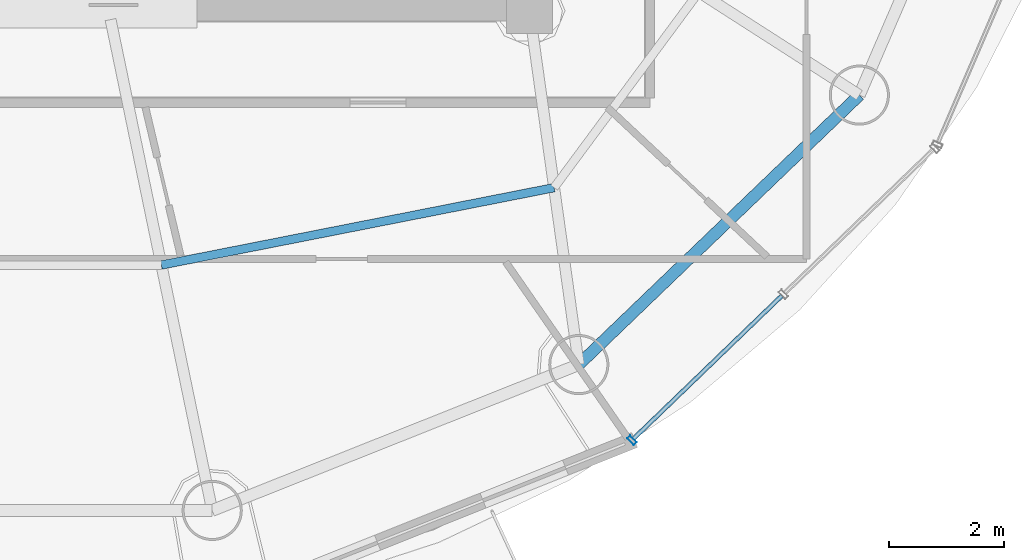
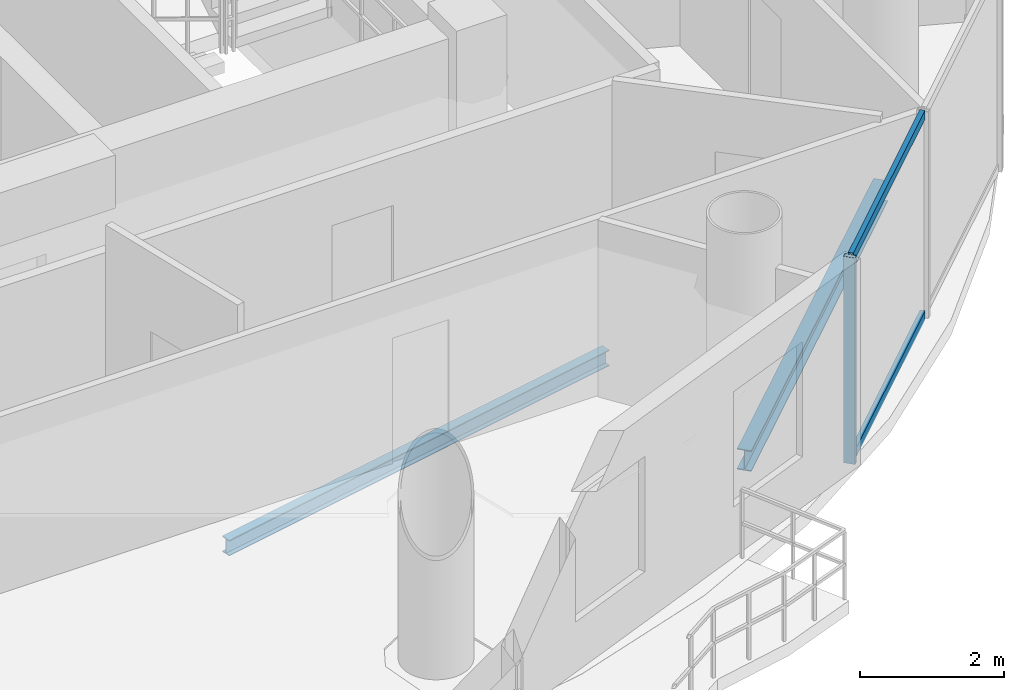
# One storey, part 6 of 23: 3 members, 2 beams, 1 element without a shape of its own.
"""IFC4 building model written with IfcOpenShell, lengths in metres."""

from ifc_helpers import new_model, si_unit, direction, frame, origin, origin_2d, place, context, subcontext, project, spatial, hollow_rectangle, i_section, extrude, source, transform, mapped, material, material_profile, profile_set, type_object, element, aggregate, save


model = new_model("IFC4")

# Units and contexts
model_context = context("Model", 3, precision=1e-05, world=origin(), true_north=direction((-0.2419218956, 0.970295726276)))
body_context = subcontext(model_context, "Body", "Model", "MODEL_VIEW")
ifc_project = project(units=[si_unit("LENGTHUNIT", "METRE"), si_unit("AREAUNIT", "SQUARE_METRE"), si_unit("VOLUMEUNIT", "CUBIC_METRE"), si_unit("PLANEANGLEUNIT", "RADIAN"), si_unit("MASSUNIT", "GRAM", prefix="KILO")], contexts=[model_context])

# Site, building, storey
site_placement = place(None, origin())
site = spatial("IfcSite", under=ifc_project, at=site_placement, CompositionType="ELEMENT")
building_placement = place(site_placement, origin())
building = spatial("IfcBuilding", under=site, at=building_placement, Name="Cobrevalo Terracotta Tower", CompositionType="ELEMENT")
storey_placement = place(building_placement, frame((0.0, 0.0, 248.199951171875)))
storey = spatial("IfcBuildingStorey", under=building, at=storey_placement, Name="L65", CompositionType="ELEMENT", Elevation=248.199951171875)

# Beams
ifc_material_1 = material(Name="Steel S355", Category="steel")
ifc_material_profile_1 = material_profile(ifc_material_1, i_section(OverallWidth=0.14794921875, OverallDepth=0.26611328125, WebThickness=0.007568359375, FlangeThickness=0.012939453125, at=origin_2d()), Name="W 250x44.8")
ifc_profile_set_1 = profile_set([ifc_material_profile_1], Name="Steel S355")
beam_type_1 = type_object("IfcBeamType", Name="Structural Joist W 250x44.8 (Steel S355)", PredefinedType="JOIST", material=ifc_profile_set_1)
beam_1_placement = place(storey_placement, frame((40.57568359375, 14.361328125, -0.39306640625), z_axis=(0.981145060421, 0.193272787563, 0.0), x_axis=(-0.193272787563, 0.981145060421, 0.0)))
element("IfcBeam", 1, at=beam_1_placement, inside=storey, type_object=beam_type_1, Name="L65 circumferential secondary floor joist 13", PredefinedType="JOIST", context=body_context, shape_type="SweptSolid", body=[
    extrude(i_section(OverallWidth=0.14794921875, OverallDepth=0.26611328125, WebThickness=0.007568359375, FlangeThickness=0.012939453125, at=origin_2d()), origin(), (0.0, 0.0, 1.0), 6.98681640625),
])
ifc_material_profile_2 = material_profile(ifc_material_1, i_section(OverallWidth=0.205078125, OverallDepth=0.35400390625, WebThickness=0.009521484375, FlangeThickness=0.016845703125, at=origin_2d()), Name="W 360x79")
ifc_profile_set_2 = profile_set([ifc_material_profile_2], Name="Steel S355")
beam_type_2 = type_object("IfcBeamType", Name="Structural Spandrel W 360x79 (Steel S355)", PredefinedType="SPANDREL", material=ifc_profile_set_2)
beam_2_placement = place(storey_placement, frame((47.861328125, 12.62353515625, -0.43701171875), z_axis=(0.721183246144, 0.692744343522, 0.0), x_axis=(-0.692744343522, 0.721183246144, 0.0)))
element("IfcBeam", 2, at=beam_2_placement, inside=storey, type_object=beam_type_2, Name="L65 perimeter ring spandrel 14", PredefinedType="SPANDREL", context=body_context, shape_type="SweptSolid", body=[
    extrude(i_section(OverallWidth=0.205078125, OverallDepth=0.35400390625, WebThickness=0.009521484375, FlangeThickness=0.016845703125, at=origin_2d()), origin(), (0.0, 0.0, 1.0), 6.79052734375),
])

# Curtain wall, members
ifc_material_2 = material(Name="Anodized aluminium", Category="aluminium")
curtain_wall_type = type_object("IfcCurtainWallType", Name="Upper-tower triple-glazed penthouse curtain wall CW-U3", PredefinedType="NOTDEFINED", material=ifc_material_2)
curtain_wall_placement = place(storey_placement, origin())
curtain_wall = element("IfcCurtainWall", 3, at=curtain_wall_placement, inside=storey, type_object=curtain_wall_type, Name="L65 curtain wall CW-L65-S14", PredefinedType="NOTDEFINED")
ifc_material_profile_3 = material_profile(ifc_material_2, hollow_rectangle(XDim=0.070068359375, YDim=0.169921875, WallThickness=0.00439453125, at=origin_2d()), Name="CWM 70x170")
ifc_profile_set_3 = profile_set([ifc_material_profile_3], Name="Anodized aluminium")
member_type_1 = type_object("IfcMemberType", Name="Upper tower unitised mullion 70x170", PredefinedType="MULLION", material=ifc_profile_set_3)
shared_shape_1 = source(origin(), body_context, "Body", "SweptSolid", [
    extrude(hollow_rectangle(XDim=0.070068359375, YDim=0.169921875, WallThickness=0.00439453125, at=origin_2d()), origin(), (0.0, 0.0, 1.0), 3.489990234375),
])
member_1_placement = place(storey_placement, frame((48.790283203125, 11.30419921875, 0.0), z_axis=(0.0, 0.0, 1.0), x_axis=(0.71999418085, 0.69398010025, 0.0)))
member_1 = element("IfcMember", 4, at=member_1_placement, type_object=member_type_1, Name="CW-L65-S14 vertical mullion 01", PredefinedType="MULLION", context=body_context, shape_type="MappedRepresentation", body=[
    mapped(shared_shape_1, transform((0.0, 0.0, 0.0), scale=1.0)),
])
ifc_material_profile_4 = material_profile(ifc_material_2, hollow_rectangle(XDim=0.074951171875, YDim=0.14990234375, WallThickness=0.00439453125, at=origin_2d()), Name="CWT 75x150")
ifc_profile_set_4 = profile_set([ifc_material_profile_4], Name="Anodized aluminium")
member_type_2 = type_object("IfcMemberType", Name="Tower unitised aluminium transom 75x150", PredefinedType="USERDEFINED", material=ifc_profile_set_4)
shared_shape_2 = source(origin(), body_context, "Body", "SweptSolid", [
    extrude(hollow_rectangle(XDim=0.074951171875, YDim=0.14990234375, WallThickness=0.00439453125, at=origin_2d()), origin(), (0.0, 0.0, 1.0), 3.59130859375),
])
member_2_placement = place(storey_placement, frame((48.819091796875, 11.33203125, 0.050048828125), z_axis=(0.720005628362, 0.693968223427, 0.0), x_axis=(-0.693968223427, 0.720005628362, 0.0)))
member_2 = element("IfcMember", 5, at=member_2_placement, type_object=member_type_2, Name="CW-L65-S14 transom B01-T1", ObjectType="TRANSOM", PredefinedType="USERDEFINED", context=body_context, shape_type="MappedRepresentation", body=[
    mapped(shared_shape_2, transform((0.0, 0.0, 0.0), scale=1.0)),
])
member_3_placement = place(storey_placement, frame((48.819091796875, 11.33203125, 3.43994140625), z_axis=(0.720005628362, 0.693968223427, 0.0), x_axis=(-0.693968223427, 0.720005628362, 0.0)))
member_3 = element("IfcMember", 6, at=member_3_placement, type_object=member_type_2, Name="CW-L65-S14 transom B01-T2", ObjectType="TRANSOM", PredefinedType="USERDEFINED", context=body_context, shape_type="MappedRepresentation", body=[
    mapped(shared_shape_2, transform((0.0, 0.0, 0.0), scale=1.0)),
])
aggregate(curtain_wall, [member_1, member_2, member_3])

save(model, "model.ifc")
